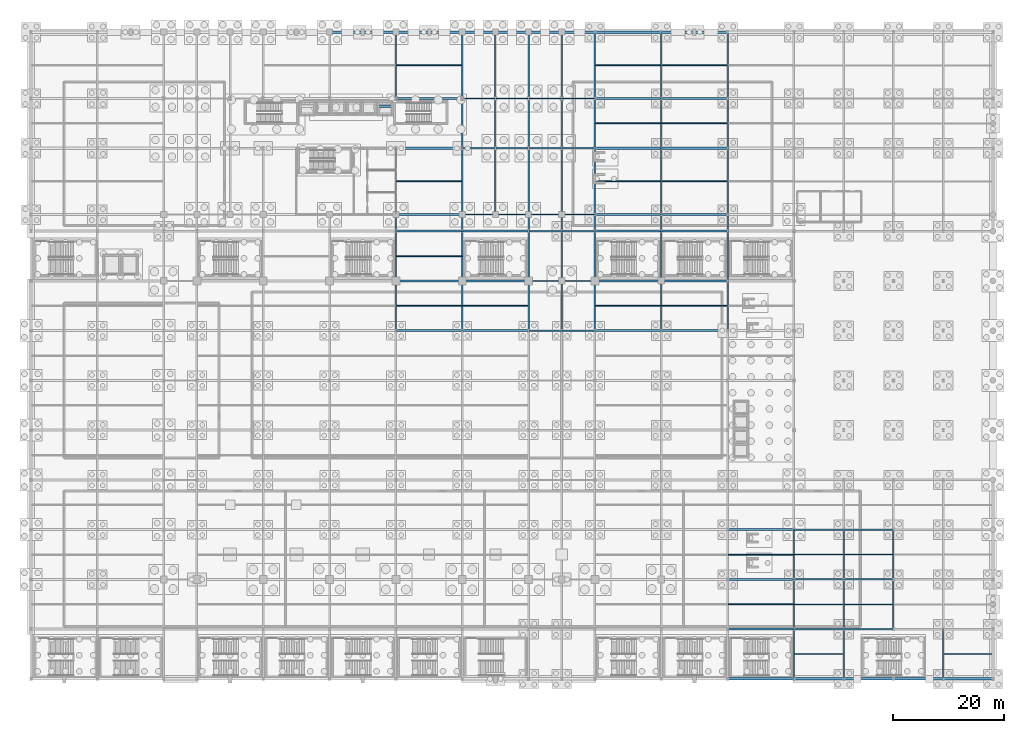
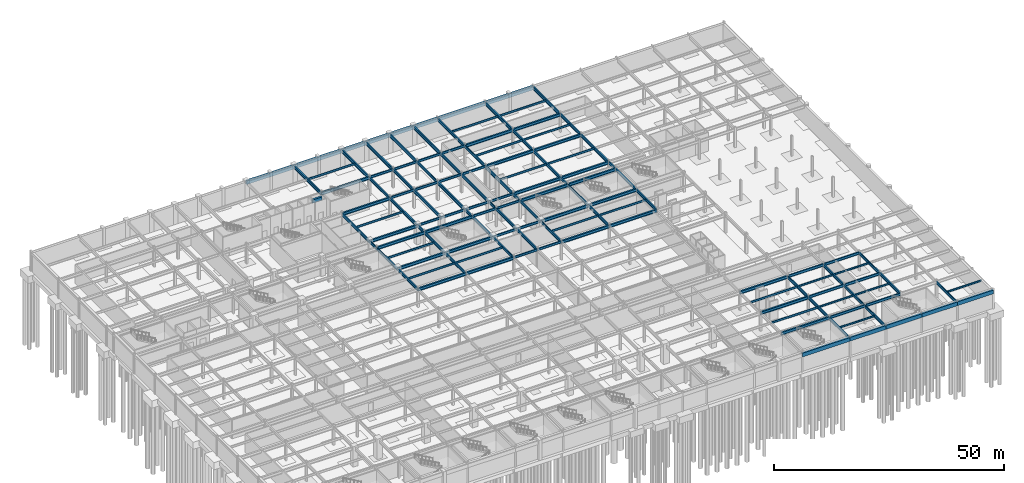
# One storey, part 20 of 47: 136 beams.
"""IFC4 building model written with IfcOpenShell, lengths in metres."""

from ifc_helpers import new_model, si_unit, direction, frame, origin, origin_2d, place, context, subcontext, project, spatial, rectangle, i_section, extrude, material, material_profile, profile_set, type_object, element, save


model = new_model("IFC4")

# Units and contexts
model_context = context("Model", 3, precision=1e-05, world=origin(), true_north=direction((0.0, 1.0)))
body_context = subcontext(model_context, "Body", "Model", "MODEL_VIEW")
ifc_project = project(units=[si_unit("LENGTHUNIT", "METRE"), si_unit("AREAUNIT", "SQUARE_METRE"), si_unit("VOLUMEUNIT", "CUBIC_METRE"), si_unit("PLANEANGLEUNIT", "RADIAN"), si_unit("MASSUNIT", "GRAM", prefix="KILO")], contexts=[model_context])

# Site, building, storey
site_placement = place(None, origin())
site = spatial("IfcSite", under=ifc_project, at=site_placement, CompositionType="ELEMENT")
building_placement = place(site_placement, origin())
building = spatial("IfcBuilding", under=site, at=building_placement, Name="Kaldorvane Square Convention Centre", CompositionType="ELEMENT")
storey_placement = place(building_placement, frame((0.0, 0.0, -5.399993896484375)))
storey = spatial("IfcBuildingStorey", under=building, at=storey_placement, Name="B01", CompositionType="ELEMENT", Elevation=-5.399993896484375)

# Beams
ifc_material_1 = material(Name="Steel ASTM A992 Gr. 50", Category="steel")
ifc_material_profile_1 = material_profile(ifc_material_1, i_section(OverallWidth=0.2303009033203125, OverallDepth=0.61749267578125, WebThickness=0.0131072998046875, FlangeThickness=0.0222015380859375, FilletRadius=0.0126953125, at=origin_2d()), Name="W24X94")
ifc_profile_set_1 = profile_set([ifc_material_profile_1], Name="Steel ASTM A992 Gr. 50")
beam_type_1 = type_object("IfcBeamType", Name="BM-GR-W24X94", PredefinedType="BEAM", material=ifc_profile_set_1)
for number, where, z_axis, x_axis, name in (
    (1, (90.0, 63.0, 4.7072906494140625), (1.0, 0.0, 0.0), (0.0, 1.0, 0.0), "Primary Girder (B01)"),
    (2, (96.0, 63.0, 4.7072906494140625), (1.0, 0.0, 0.0), (0.0, 1.0, 0.0), "Primary Girder (B01)"),
    (3, (90.0, 72.0, 4.7072906494140625), (1.0, 0.0, 0.0), (0.0, 1.0, 0.0), "Primary Girder (B01)"),
    (4, (96.0, 72.0, 4.7072906494140625), (1.0, 0.0, 0.0), (0.0, 1.0, 0.0), "Primary Girder (B01)"),
    (5, (90.0, 81.0, 4.7072906494140625), (1.0, 0.0, 0.0), (0.0, 1.0, 0.0), "Primary Girder (B01)"),
    (6, (96.0, 81.0, 4.7072906494140625), (1.0, 0.0, 0.0), (0.0, 1.0, 0.0), "Primary Girder (B01)"),
    (7, (78.0, 84.0, 4.7072906494140625), (1.0, 0.0, 0.0), (0.0, 1.0, 0.0), "Primary Girder (B01)"),
    (8, (84.0, 84.0, 4.7072906494140625), (1.0, 0.0, 0.0), (0.0, 1.0, 0.0), "Primary Girder (B01)"),
    (9, (90.0, 84.0, 4.7072906494140625), (1.0, 0.0, 0.0), (0.0, 1.0, 0.0), "Primary Girder (B01)"),
    (10, (96.0, 84.0, 4.7072906494140625), (1.0, 0.0, 0.0), (0.0, 1.0, 0.0), "Primary Girder (B01)"),
    (11, (78.0, 96.0, 4.7072906494140625), (1.0, 0.0, 0.0), (0.0, 1.0, 0.0), "Primary Girder (B01)"),
    (12, (84.0, 96.0, 4.7072906494140625), (1.0, 0.0, 0.0), (0.0, 1.0, 0.0), "Primary Girder (B01)"),
    (13, (90.0, 96.0, 4.7072906494140625), (1.0, 0.0, 0.0), (0.0, 1.0, 0.0), "Primary Girder (B01)"),
    (14, (96.0, 96.0, 4.7072906494140625), (1.0, 0.0, 0.0), (0.0, 1.0, 0.0), "Primary Girder (B01)"),
    (15, (78.0, 105.0, 4.7072906494140625), (1.0, 0.0, 0.0), (0.0, 1.0, 0.0), "Primary Girder (B01)"),
    (16, (84.0, 105.0, 4.7072906494140625), (1.0, 0.0, 0.0), (0.0, 1.0, 0.0), "Primary Girder (B01)"),
    (17, (90.0, 105.0, 4.7072906494140625), (1.0, 0.0, 0.0), (0.0, 1.0, 0.0), "Primary Girder (B01)"),
    (18, (96.0, 105.0, 4.7072906494140625), (1.0, 0.0, 0.0), (0.0, 1.0, 0.0), "Primary Girder (B01)"),
):
    element("IfcBeam", number, at=place(storey_placement, frame(where, z_axis=z_axis, x_axis=x_axis)), inside=storey, type_object=beam_type_1, Name=name, PredefinedType="BEAM", context=body_context, shape_type="SweptSolid", body=[
        extrude(i_section(OverallWidth=0.2303009033203125, OverallDepth=0.61749267578125, WebThickness=0.0131072998046875, FlangeThickness=0.0222015380859375, FilletRadius=0.0126953125, at=origin_2d()), origin(), (0.0, 0.0, 1.0), 6.0),
    ])
ifc_material_profile_2 = material_profile(ifc_material_1, i_section(OverallWidth=0.25439453125, OverallDepth=0.6880950927734375, WebThickness=0.0131072998046875, FlangeThickness=0.0211029052734375, FilletRadius=0.01519775390625, at=origin_2d()), Name="W27X102")
ifc_profile_set_2 = profile_set([ifc_material_profile_2], Name="Steel ASTM A992 Gr. 50")
beam_type_2 = type_object("IfcBeamType", Name="BM-GR-W27X102", PredefinedType="BEAM", material=ifc_profile_set_2)
for number, where, z_axis, x_axis, name in (
    (19, (138.0, 9.0, 4.6718902587890625), (1.0, 0.0, 0.0), (0.0, 1.0, 0.0), "Primary Girder (B01)"),
    (20, (147.0, 9.0, 4.6718902587890625), (1.0, 0.0, 0.0), (0.0, 1.0, 0.0), "Primary Girder (B01)"),
    (21, (138.0, 18.0, 4.6718902587890625), (1.0, 0.0, 0.0), (0.0, 1.0, 0.0), "Primary Girder (B01)"),
    (22, (147.0, 18.0, 4.6718902587890625), (1.0, 0.0, 0.0), (0.0, 1.0, 0.0), "Primary Girder (B01)"),
    (23, (138.0, 27.0, 4.6718902587890625), (1.0, 0.0, 0.0), (0.0, 1.0, 0.0), "Primary Girder (B01)"),
    (24, (147.0, 27.0, 4.6718902587890625), (1.0, 0.0, 0.0), (0.0, 1.0, 0.0), "Primary Girder (B01)"),
):
    element("IfcBeam", number, at=place(storey_placement, frame(where, z_axis=z_axis, x_axis=x_axis)), inside=storey, type_object=beam_type_2, Name=name, PredefinedType="BEAM", context=body_context, shape_type="SweptSolid", body=[
        extrude(i_section(OverallWidth=0.25439453125, OverallDepth=0.6880950927734375, WebThickness=0.0131072998046875, FlangeThickness=0.0211029052734375, FilletRadius=0.01519775390625, at=origin_2d()), origin(), (0.0, 0.0, 1.0), 9.0),
    ])
ifc_material_profile_3 = material_profile(ifc_material_1, i_section(OverallWidth=0.2666015625, OverallDepth=0.762298583984375, WebThickness=0.014404296875, FlangeThickness=0.0216064453125, FilletRadius=0.0164947509765625, at=origin_2d()), Name="W30X116")
ifc_profile_set_3 = profile_set([ifc_material_profile_3], Name="Steel ASTM A992 Gr. 50")
beam_type_3 = type_object("IfcBeamType", Name="BM-GR-W30X116", PredefinedType="BEAM", material=ifc_profile_set_3)
for number, where, z_axis, x_axis, name in (
    (25, (66.0, 63.0, 4.6348876953125), (0.0, 1.0, 0.0), (-1.0, 0.0, 0.0), "Transverse Girder (B01)"),
    (26, (66.0, 72.0, 4.6348876953125), (0.0, 1.0, 0.0), (-1.0, 0.0, 0.0), "Transverse Girder (B01)"),
):
    element("IfcBeam", number, at=place(storey_placement, frame(where, z_axis=z_axis, x_axis=x_axis)), inside=storey, type_object=beam_type_3, Name=name, PredefinedType="BEAM", context=body_context, shape_type="SweptSolid", body=[
        extrude(i_section(OverallWidth=0.2666015625, OverallDepth=0.762298583984375, WebThickness=0.014404296875, FlangeThickness=0.0216064453125, FilletRadius=0.0164947509765625, at=origin_2d()), origin(), (0.0, 0.0, 1.0), 9.0),
    ])
beam_1_placement = place(storey_placement, frame((66.0, 81.0, 4.6348876953125), z_axis=(0.0, 1.0, 0.0), x_axis=(-1.0, 0.0, 0.0)))
element("IfcBeam", 27, at=beam_1_placement, inside=storey, type_object=beam_type_3, Name="Transverse Girder (B01)", PredefinedType="BEAM", context=body_context, shape_type="SweptSolid", body=[
    extrude(i_section(OverallWidth=0.2666015625, OverallDepth=0.762298583984375, WebThickness=0.014404296875, FlangeThickness=0.0216064453125, FilletRadius=0.0164947509765625, at=origin_2d()), origin(), (0.0, 0.0, 1.0), 3.0),
])
for number, where, z_axis, x_axis, name in (
    (28, (78.0, 63.0, 4.6348876953125), (0.0, 1.0, 0.0), (-1.0, 0.0, 0.0), "Transverse Girder (B01)"),
    (29, (78.0, 72.0, 4.6348876953125), (0.0, 1.0, 0.0), (-1.0, 0.0, 0.0), "Transverse Girder (B01)"),
):
    element("IfcBeam", number, at=place(storey_placement, frame(where, z_axis=z_axis, x_axis=x_axis)), inside=storey, type_object=beam_type_3, Name=name, PredefinedType="BEAM", context=body_context, shape_type="SweptSolid", body=[
        extrude(i_section(OverallWidth=0.2666015625, OverallDepth=0.762298583984375, WebThickness=0.014404296875, FlangeThickness=0.0216064453125, FilletRadius=0.0164947509765625, at=origin_2d()), origin(), (0.0, 0.0, 1.0), 9.0),
    ])
beam_2_placement = place(storey_placement, frame((78.0, 81.0, 4.6348876953125), z_axis=(0.0, 1.0, 0.0), x_axis=(-1.0, 0.0, 0.0)))
element("IfcBeam", 30, at=beam_2_placement, inside=storey, type_object=beam_type_3, Name="Transverse Girder (B01)", PredefinedType="BEAM", context=body_context, shape_type="SweptSolid", body=[
    extrude(i_section(OverallWidth=0.2666015625, OverallDepth=0.762298583984375, WebThickness=0.014404296875, FlangeThickness=0.0216064453125, FilletRadius=0.0164947509765625, at=origin_2d()), origin(), (0.0, 0.0, 1.0), 3.0),
])
for number, where, z_axis, x_axis, name in (
    (31, (78.0, 96.0, 4.6348876953125), (0.0, 1.0, 0.0), (-1.0, 0.0, 0.0), "Transverse Girder (B01)"),
    (32, (84.0, 96.0, 4.6348876953125), (0.0, 1.0, 0.0), (-1.0, 0.0, 0.0), "Transverse Girder (B01)"),
    (33, (90.0, 63.0, 4.6348876953125), (0.0, 1.0, 0.0), (-1.0, 0.0, 0.0), "Transverse Girder (B01)"),
    (34, (90.0, 72.0, 4.6348876953125), (0.0, 1.0, 0.0), (-1.0, 0.0, 0.0), "Transverse Girder (B01)"),
):
    element("IfcBeam", number, at=place(storey_placement, frame(where, z_axis=z_axis, x_axis=x_axis)), inside=storey, type_object=beam_type_3, Name=name, PredefinedType="BEAM", context=body_context, shape_type="SweptSolid", body=[
        extrude(i_section(OverallWidth=0.2666015625, OverallDepth=0.762298583984375, WebThickness=0.014404296875, FlangeThickness=0.0216064453125, FilletRadius=0.0164947509765625, at=origin_2d()), origin(), (0.0, 0.0, 1.0), 9.0),
    ])
beam_3_placement = place(storey_placement, frame((90.0, 81.0, 4.6348876953125), z_axis=(0.0, 1.0, 0.0), x_axis=(-1.0, 0.0, 0.0)))
element("IfcBeam", 35, at=beam_3_placement, inside=storey, type_object=beam_type_3, Name="Transverse Girder (B01)", PredefinedType="BEAM", context=body_context, shape_type="SweptSolid", body=[
    extrude(i_section(OverallWidth=0.2666015625, OverallDepth=0.762298583984375, WebThickness=0.014404296875, FlangeThickness=0.0216064453125, FilletRadius=0.0164947509765625, at=origin_2d()), origin(), (0.0, 0.0, 1.0), 3.0),
])
for number, where, z_axis, x_axis, name in (
    (36, (90.0, 96.0, 4.6348876953125), (0.0, 1.0, 0.0), (-1.0, 0.0, 0.0), "Transverse Girder (B01)"),
    (37, (96.0, 63.0, 4.6348876953125), (0.0, 1.0, 0.0), (-1.0, 0.0, 0.0), "Transverse Girder (B01)"),
    (38, (96.0, 72.0, 4.6348876953125), (0.0, 1.0, 0.0), (-1.0, 0.0, 0.0), "Transverse Girder (B01)"),
):
    element("IfcBeam", number, at=place(storey_placement, frame(where, z_axis=z_axis, x_axis=x_axis)), inside=storey, type_object=beam_type_3, Name=name, PredefinedType="BEAM", context=body_context, shape_type="SweptSolid", body=[
        extrude(i_section(OverallWidth=0.2666015625, OverallDepth=0.762298583984375, WebThickness=0.014404296875, FlangeThickness=0.0216064453125, FilletRadius=0.0164947509765625, at=origin_2d()), origin(), (0.0, 0.0, 1.0), 9.0),
    ])
beam_4_placement = place(storey_placement, frame((96.0, 81.0, 4.6348876953125), z_axis=(0.0, 1.0, 0.0), x_axis=(-1.0, 0.0, 0.0)))
element("IfcBeam", 39, at=beam_4_placement, inside=storey, type_object=beam_type_3, Name="Transverse Girder (B01)", PredefinedType="BEAM", context=body_context, shape_type="SweptSolid", body=[
    extrude(i_section(OverallWidth=0.2666015625, OverallDepth=0.762298583984375, WebThickness=0.014404296875, FlangeThickness=0.0216064453125, FilletRadius=0.0164947509765625, at=origin_2d()), origin(), (0.0, 0.0, 1.0), 3.0),
])
for number, where, z_axis, x_axis, name in (
    (40, (96.0, 96.0, 4.6348876953125), (0.0, 1.0, 0.0), (-1.0, 0.0, 0.0), "Transverse Girder (B01)"),
    (41, (102.0, 63.0, 4.6348876953125), (0.0, 1.0, 0.0), (-1.0, 0.0, 0.0), "Transverse Girder (B01)"),
    (42, (102.0, 72.0, 4.6348876953125), (0.0, 1.0, 0.0), (-1.0, 0.0, 0.0), "Transverse Girder (B01)"),
):
    element("IfcBeam", number, at=place(storey_placement, frame(where, z_axis=z_axis, x_axis=x_axis)), inside=storey, type_object=beam_type_3, Name=name, PredefinedType="BEAM", context=body_context, shape_type="SweptSolid", body=[
        extrude(i_section(OverallWidth=0.2666015625, OverallDepth=0.762298583984375, WebThickness=0.014404296875, FlangeThickness=0.0216064453125, FilletRadius=0.0164947509765625, at=origin_2d()), origin(), (0.0, 0.0, 1.0), 9.0),
    ])
beam_5_placement = place(storey_placement, frame((102.0, 81.0, 4.6348876953125), z_axis=(0.0, 1.0, 0.0), x_axis=(-1.0, 0.0, 0.0)))
element("IfcBeam", 43, at=beam_5_placement, inside=storey, type_object=beam_type_3, Name="Transverse Girder (B01)", PredefinedType="BEAM", context=body_context, shape_type="SweptSolid", body=[
    extrude(i_section(OverallWidth=0.2666015625, OverallDepth=0.762298583984375, WebThickness=0.014404296875, FlangeThickness=0.0216064453125, FilletRadius=0.0164947509765625, at=origin_2d()), origin(), (0.0, 0.0, 1.0), 3.0),
])
for number, where, z_axis, x_axis, name in (
    (44, (102.0, 96.0, 4.6348876953125), (0.0, 1.0, 0.0), (-1.0, 0.0, 0.0), "Transverse Girder (B01)"),
    (45, (114.0, 63.0, 4.6348876953125), (0.0, 1.0, 0.0), (-1.0, 0.0, 0.0), "Transverse Girder (B01)"),
    (46, (114.0, 72.0, 4.6348876953125), (0.0, 1.0, 0.0), (-1.0, 0.0, 0.0), "Transverse Girder (B01)"),
):
    element("IfcBeam", number, at=place(storey_placement, frame(where, z_axis=z_axis, x_axis=x_axis)), inside=storey, type_object=beam_type_3, Name=name, PredefinedType="BEAM", context=body_context, shape_type="SweptSolid", body=[
        extrude(i_section(OverallWidth=0.2666015625, OverallDepth=0.762298583984375, WebThickness=0.014404296875, FlangeThickness=0.0216064453125, FilletRadius=0.0164947509765625, at=origin_2d()), origin(), (0.0, 0.0, 1.0), 9.0),
    ])
beam_6_placement = place(storey_placement, frame((114.0, 81.0, 4.6348876953125), z_axis=(0.0, 1.0, 0.0), x_axis=(-1.0, 0.0, 0.0)))
element("IfcBeam", 47, at=beam_6_placement, inside=storey, type_object=beam_type_3, Name="Transverse Girder (B01)", PredefinedType="BEAM", context=body_context, shape_type="SweptSolid", body=[
    extrude(i_section(OverallWidth=0.2666015625, OverallDepth=0.762298583984375, WebThickness=0.014404296875, FlangeThickness=0.0216064453125, FilletRadius=0.0164947509765625, at=origin_2d()), origin(), (0.0, 0.0, 1.0), 3.0),
])
for number, where, z_axis, x_axis, name in (
    (48, (114.0, 96.0, 4.6348876953125), (0.0, 1.0, 0.0), (-1.0, 0.0, 0.0), "Transverse Girder (B01)"),
    (49, (126.0, 63.0, 4.6348876953125), (0.0, 1.0, 0.0), (-1.0, 0.0, 0.0), "Transverse Girder (B01)"),
    (50, (126.0, 72.0, 4.6348876953125), (0.0, 1.0, 0.0), (-1.0, 0.0, 0.0), "Transverse Girder (B01)"),
):
    element("IfcBeam", number, at=place(storey_placement, frame(where, z_axis=z_axis, x_axis=x_axis)), inside=storey, type_object=beam_type_3, Name=name, PredefinedType="BEAM", context=body_context, shape_type="SweptSolid", body=[
        extrude(i_section(OverallWidth=0.2666015625, OverallDepth=0.762298583984375, WebThickness=0.014404296875, FlangeThickness=0.0216064453125, FilletRadius=0.0164947509765625, at=origin_2d()), origin(), (0.0, 0.0, 1.0), 9.0),
    ])
beam_7_placement = place(storey_placement, frame((126.0, 81.0, 4.6348876953125), z_axis=(0.0, 1.0, 0.0), x_axis=(-1.0, 0.0, 0.0)))
element("IfcBeam", 51, at=beam_7_placement, inside=storey, type_object=beam_type_3, Name="Transverse Girder (B01)", PredefinedType="BEAM", context=body_context, shape_type="SweptSolid", body=[
    extrude(i_section(OverallWidth=0.2666015625, OverallDepth=0.762298583984375, WebThickness=0.014404296875, FlangeThickness=0.0216064453125, FilletRadius=0.0164947509765625, at=origin_2d()), origin(), (0.0, 0.0, 1.0), 3.0),
])
for number, where, z_axis, x_axis, name in (
    (52, (126.0, 96.0, 4.6348876953125), (0.0, 1.0, 0.0), (-1.0, 0.0, 0.0), "Transverse Girder (B01)"),
    (53, (138.0, 0.0, 4.6348876953125), (0.0, 1.0, 0.0), (-1.0, 0.0, 0.0), "Transverse Girder (B01)"),
    (54, (138.0, 9.0, 4.6348876953125), (0.0, 1.0, 0.0), (-1.0, 0.0, 0.0), "Transverse Girder (B01)"),
    (55, (138.0, 18.0, 4.6348876953125), (0.0, 1.0, 0.0), (-1.0, 0.0, 0.0), "Transverse Girder (B01)"),
    (56, (147.0, 0.0, 4.6348876953125), (0.0, 1.0, 0.0), (-1.0, 0.0, 0.0), "Transverse Girder (B01)"),
    (57, (147.0, 9.0, 4.6348876953125), (0.0, 1.0, 0.0), (-1.0, 0.0, 0.0), "Transverse Girder (B01)"),
    (58, (147.0, 18.0, 4.6348876953125), (0.0, 1.0, 0.0), (-1.0, 0.0, 0.0), "Transverse Girder (B01)"),
    (59, (156.0, 9.0, 4.6348876953125), (0.0, 1.0, 0.0), (-1.0, 0.0, 0.0), "Transverse Girder (B01)"),
    (60, (156.0, 18.0, 4.6348876953125), (0.0, 1.0, 0.0), (-1.0, 0.0, 0.0), "Transverse Girder (B01)"),
    (61, (165.0, 0.0, 4.6348876953125), (0.0, 1.0, 0.0), (-1.0, 0.0, 0.0), "Transverse Girder (B01)"),
):
    element("IfcBeam", number, at=place(storey_placement, frame(where, z_axis=z_axis, x_axis=x_axis)), inside=storey, type_object=beam_type_3, Name=name, PredefinedType="BEAM", context=body_context, shape_type="SweptSolid", body=[
        extrude(i_section(OverallWidth=0.2666015625, OverallDepth=0.762298583984375, WebThickness=0.014404296875, FlangeThickness=0.0216064453125, FilletRadius=0.0164947509765625, at=origin_2d()), origin(), (0.0, 0.0, 1.0), 9.0),
    ])
ifc_material_profile_4 = material_profile(ifc_material_1, i_section(OverallWidth=0.380706787109375, OverallDepth=0.773193359375, WebThickness=0.0166015625, FlangeThickness=0.027099609375, FilletRadius=0.0164947509765625, at=origin_2d()), Name="W30X173")
ifc_profile_set_4 = profile_set([ifc_material_profile_4], Name="Steel ASTM A992 Gr. 50")
beam_type_4 = type_object("IfcBeamType", Name="BM-GR-W30X173", PredefinedType="BEAM", material=ifc_profile_set_4)
for number, where, z_axis, x_axis, name in (
    (62, (126.0, 9.0, 4.62939453125), (1.0, 0.0, 0.0), (0.0, 1.0, 0.0), "Primary Girder (B01)"),
    (63, (126.0, 18.0, 4.62939453125), (1.0, 0.0, 0.0), (0.0, 1.0, 0.0), "Primary Girder (B01)"),
    (64, (126.0, 27.0, 4.62939453125), (1.0, 0.0, 0.0), (0.0, 1.0, 0.0), "Primary Girder (B01)"),
    (65, (66.0, 63.0, 4.62939453125), (1.0, 0.0, 0.0), (0.0, 1.0, 0.0), "Primary Girder (B01)"),
    (66, (78.0, 63.0, 4.62939453125), (1.0, 0.0, 0.0), (0.0, 1.0, 0.0), "Primary Girder (B01)"),
    (67, (102.0, 63.0, 4.62939453125), (1.0, 0.0, 0.0), (0.0, 1.0, 0.0), "Primary Girder (B01)"),
    (68, (114.0, 63.0, 4.62939453125), (1.0, 0.0, 0.0), (0.0, 1.0, 0.0), "Primary Girder (B01)"),
    (69, (66.0, 72.0, 4.62939453125), (1.0, 0.0, 0.0), (0.0, 1.0, 0.0), "Primary Girder (B01)"),
    (70, (78.0, 72.0, 4.62939453125), (1.0, 0.0, 0.0), (0.0, 1.0, 0.0), "Primary Girder (B01)"),
    (71, (102.0, 72.0, 4.62939453125), (1.0, 0.0, 0.0), (0.0, 1.0, 0.0), "Primary Girder (B01)"),
    (72, (114.0, 72.0, 4.62939453125), (1.0, 0.0, 0.0), (0.0, 1.0, 0.0), "Primary Girder (B01)"),
    (73, (66.0, 81.0, 4.62939453125), (1.0, 0.0, 0.0), (0.0, 1.0, 0.0), "Primary Girder (B01)"),
    (74, (78.0, 81.0, 4.62939453125), (1.0, 0.0, 0.0), (0.0, 1.0, 0.0), "Primary Girder (B01)"),
    (75, (102.0, 81.0, 4.62939453125), (1.0, 0.0, 0.0), (0.0, 1.0, 0.0), "Primary Girder (B01)"),
    (76, (114.0, 81.0, 4.62939453125), (1.0, 0.0, 0.0), (0.0, 1.0, 0.0), "Primary Girder (B01)"),
    (77, (66.0, 84.0, 4.62939453125), (1.0, 0.0, 0.0), (0.0, 1.0, 0.0), "Primary Girder (B01)"),
    (78, (102.0, 84.0, 4.62939453125), (1.0, 0.0, 0.0), (0.0, 1.0, 0.0), "Primary Girder (B01)"),
    (79, (114.0, 84.0, 4.62939453125), (1.0, 0.0, 0.0), (0.0, 1.0, 0.0), "Primary Girder (B01)"),
    (80, (66.0, 96.0, 4.62939453125), (1.0, 0.0, 0.0), (0.0, 1.0, 0.0), "Primary Girder (B01)"),
    (81, (102.0, 96.0, 4.62939453125), (1.0, 0.0, 0.0), (0.0, 1.0, 0.0), "Primary Girder (B01)"),
    (82, (114.0, 96.0, 4.62939453125), (1.0, 0.0, 0.0), (0.0, 1.0, 0.0), "Primary Girder (B01)"),
    (83, (66.0, 105.0, 4.62939453125), (1.0, 0.0, 0.0), (0.0, 1.0, 0.0), "Primary Girder (B01)"),
    (84, (102.0, 105.0, 4.62939453125), (1.0, 0.0, 0.0), (0.0, 1.0, 0.0), "Primary Girder (B01)"),
    (85, (114.0, 105.0, 4.62939453125), (1.0, 0.0, 0.0), (0.0, 1.0, 0.0), "Primary Girder (B01)"),
):
    element("IfcBeam", number, at=place(storey_placement, frame(where, z_axis=z_axis, x_axis=x_axis)), inside=storey, type_object=beam_type_4, Name=name, PredefinedType="BEAM", context=body_context, shape_type="SweptSolid", body=[
        extrude(i_section(OverallWidth=0.380706787109375, OverallDepth=0.773193359375, WebThickness=0.0166015625, FlangeThickness=0.027099609375, FilletRadius=0.0164947509765625, at=origin_2d()), origin(), (0.0, 0.0, 1.0), 12.0),
    ])
ifc_material_profile_5 = material_profile(ifc_material_1, i_section(OverallWidth=0.292999267578125, OverallDepth=0.845794677734375, WebThickness=0.0153961181640625, FlangeThickness=0.0243988037109375, FilletRadius=0.0178070068359375, at=origin_2d()), Name="W33X141")
ifc_profile_set_5 = profile_set([ifc_material_profile_5], Name="Steel ASTM A992 Gr. 50")
beam_type_5 = type_object("IfcBeamType", Name="BM-GR-W33X141", PredefinedType="BEAM", material=ifc_profile_set_5)
for number, where, z_axis, x_axis, name in (
    (86, (66.0, 84.0, 4.5930938720703125), (0.0, 1.0, 0.0), (-1.0, 0.0, 0.0), "Transverse Girder (B01)"),
    (87, (66.0, 105.0, 4.5930938720703125), (0.0, 1.0, 0.0), (-1.0, 0.0, 0.0), "Transverse Girder (B01)"),
    (88, (78.0, 84.0, 4.5930938720703125), (0.0, 1.0, 0.0), (-1.0, 0.0, 0.0), "Transverse Girder (B01)"),
    (89, (78.0, 105.0, 4.5930938720703125), (0.0, 1.0, 0.0), (-1.0, 0.0, 0.0), "Transverse Girder (B01)"),
    (90, (84.0, 84.0, 4.5930938720703125), (0.0, 1.0, 0.0), (-1.0, 0.0, 0.0), "Transverse Girder (B01)"),
    (91, (84.0, 105.0, 4.5930938720703125), (0.0, 1.0, 0.0), (-1.0, 0.0, 0.0), "Transverse Girder (B01)"),
    (92, (90.0, 84.0, 4.5930938720703125), (0.0, 1.0, 0.0), (-1.0, 0.0, 0.0), "Transverse Girder (B01)"),
    (93, (90.0, 105.0, 4.5930938720703125), (0.0, 1.0, 0.0), (-1.0, 0.0, 0.0), "Transverse Girder (B01)"),
    (94, (96.0, 84.0, 4.5930938720703125), (0.0, 1.0, 0.0), (-1.0, 0.0, 0.0), "Transverse Girder (B01)"),
    (95, (96.0, 105.0, 4.5930938720703125), (0.0, 1.0, 0.0), (-1.0, 0.0, 0.0), "Transverse Girder (B01)"),
    (96, (102.0, 84.0, 4.5930938720703125), (0.0, 1.0, 0.0), (-1.0, 0.0, 0.0), "Transverse Girder (B01)"),
    (97, (102.0, 105.0, 4.5930938720703125), (0.0, 1.0, 0.0), (-1.0, 0.0, 0.0), "Transverse Girder (B01)"),
    (98, (114.0, 84.0, 4.5930938720703125), (0.0, 1.0, 0.0), (-1.0, 0.0, 0.0), "Transverse Girder (B01)"),
    (99, (114.0, 105.0, 4.5930938720703125), (0.0, 1.0, 0.0), (-1.0, 0.0, 0.0), "Transverse Girder (B01)"),
    (100, (126.0, 84.0, 4.5930938720703125), (0.0, 1.0, 0.0), (-1.0, 0.0, 0.0), "Transverse Girder (B01)"),
    (101, (126.0, 105.0, 4.5930938720703125), (0.0, 1.0, 0.0), (-1.0, 0.0, 0.0), "Transverse Girder (B01)"),
):
    element("IfcBeam", number, at=place(storey_placement, frame(where, z_axis=z_axis, x_axis=x_axis)), inside=storey, type_object=beam_type_5, Name=name, PredefinedType="BEAM", context=body_context, shape_type="SweptSolid", body=[
        extrude(i_section(OverallWidth=0.292999267578125, OverallDepth=0.845794677734375, WebThickness=0.0153961181640625, FlangeThickness=0.0243988037109375, FilletRadius=0.0178070068359375, at=origin_2d()), origin(), (0.0, 0.0, 1.0), 12.0),
    ])
ifc_material_profile_6 = material_profile(ifc_material_1, i_section(OverallWidth=0.1912994384765625, OverallDepth=0.4600067138671875, WebThickness=0.0099029541015625, FlangeThickness=0.0160064697265625, FilletRadius=0.01019287109375, at=origin_2d()), Name="W18X55")
ifc_profile_set_6 = profile_set([ifc_material_profile_6], Name="Steel ASTM A992 Gr. 50")
beam_type_6 = type_object("IfcBeamType", Name="BM-JS-W18X55", PredefinedType="JOIST", material=ifc_profile_set_6)
beam_8_placement = place(storey_placement, frame((138.13330078125, 4.5, 4.7859954833984375), z_axis=(1.0, 0.0, 0.0), x_axis=(0.0, 1.0, 0.0)))
element("IfcBeam", 102, at=beam_8_placement, inside=storey, type_object=beam_type_6, Name="Secondary Floor Joist (B01)", PredefinedType="JOIST", context=body_context, shape_type="SweptSolid", body=[
    extrude(i_section(OverallWidth=0.1912994384765625, OverallDepth=0.4600067138671875, WebThickness=0.0099029541015625, FlangeThickness=0.0160064697265625, FilletRadius=0.01019287109375, at=origin_2d()), origin(), (0.0, 0.0, 1.0), 8.7333984375),
])
beam_9_placement = place(storey_placement, frame((165.13330078125, 4.5, 4.7859954833984375), z_axis=(1.0, 0.0, 0.0), x_axis=(0.0, 1.0, 0.0)))
element("IfcBeam", 103, at=beam_9_placement, inside=storey, type_object=beam_type_6, Name="Secondary Floor Joist (B01)", PredefinedType="JOIST", context=body_context, shape_type="SweptSolid", body=[
    extrude(i_section(OverallWidth=0.1912994384765625, OverallDepth=0.4600067138671875, WebThickness=0.0099029541015625, FlangeThickness=0.0160064697265625, FilletRadius=0.01019287109375, at=origin_2d()), origin(), (0.0, 0.0, 1.0), 8.71429443359375),
])
for number, where, z_axis, x_axis, name in (
    (104, (138.13330078125, 13.5, 4.7859954833984375), (1.0, 0.0, 0.0), (0.0, 1.0, 0.0), "Secondary Floor Joist (B01)"),
    (105, (147.13330078125, 13.5, 4.7859954833984375), (1.0, 0.0, 0.0), (0.0, 1.0, 0.0), "Secondary Floor Joist (B01)"),
    (106, (138.13330078125, 22.5, 4.7859954833984375), (1.0, 0.0, 0.0), (0.0, 1.0, 0.0), "Secondary Floor Joist (B01)"),
    (107, (147.13330078125, 22.5, 4.7859954833984375), (1.0, 0.0, 0.0), (0.0, 1.0, 0.0), "Secondary Floor Joist (B01)"),
):
    element("IfcBeam", number, at=place(storey_placement, frame(where, z_axis=z_axis, x_axis=x_axis)), inside=storey, type_object=beam_type_6, Name=name, PredefinedType="JOIST", context=body_context, shape_type="SweptSolid", body=[
        extrude(i_section(OverallWidth=0.1912994384765625, OverallDepth=0.4600067138671875, WebThickness=0.0099029541015625, FlangeThickness=0.0160064697265625, FilletRadius=0.01019287109375, at=origin_2d()), origin(), (0.0, 0.0, 1.0), 8.7333984375),
    ])
ifc_material_profile_7 = material_profile(ifc_material_1, i_section(OverallWidth=0.1658935546875, OverallDepth=0.5290985107421875, WebThickness=0.00970458984375, FlangeThickness=0.0135955810546875, FilletRadius=0.0126953125, at=origin_2d()), Name="W21X50")
ifc_profile_set_7 = profile_set([ifc_material_profile_7], Name="Steel ASTM A992 Gr. 50")
beam_type_7 = type_object("IfcBeamType", Name="BM-JS-W21X50", PredefinedType="JOIST", material=ifc_profile_set_7)
for number, where, z_axis, x_axis, name in (
    (108, (126.13330078125, 13.5, 4.751495361328125), (1.0, 0.0, 0.0), (0.0, 1.0, 0.0), "Secondary Floor Joist (B01)"),
    (109, (126.13330078125, 22.5, 4.751495361328125), (1.0, 0.0, 0.0), (0.0, 1.0, 0.0), "Secondary Floor Joist (B01)"),
    (110, (66.13330078125, 67.5, 4.751495361328125), (1.0, 0.0, 0.0), (0.0, 1.0, 0.0), "Secondary Floor Joist (B01)"),
    (111, (78.13330078125, 67.5, 4.751495361328125), (1.0, 0.0, 0.0), (0.0, 1.0, 0.0), "Secondary Floor Joist (B01)"),
    (112, (102.13330078125, 67.5, 4.751495361328125), (1.0, 0.0, 0.0), (0.0, 1.0, 0.0), "Secondary Floor Joist (B01)"),
    (113, (114.13330078125, 67.5, 4.751495361328125), (1.0, 0.0, 0.0), (0.0, 1.0, 0.0), "Secondary Floor Joist (B01)"),
    (114, (66.13330078125, 76.5, 4.751495361328125), (1.0, 0.0, 0.0), (0.0, 1.0, 0.0), "Secondary Floor Joist (B01)"),
):
    element("IfcBeam", number, at=place(storey_placement, frame(where, z_axis=z_axis, x_axis=x_axis)), inside=storey, type_object=beam_type_7, Name=name, PredefinedType="JOIST", context=body_context, shape_type="SweptSolid", body=[
        extrude(i_section(OverallWidth=0.1658935546875, OverallDepth=0.5290985107421875, WebThickness=0.00970458984375, FlangeThickness=0.0135955810546875, FilletRadius=0.0126953125, at=origin_2d()), origin(), (0.0, 0.0, 1.0), 11.7333984375),
    ])
for number, where, z_axis, x_axis, name in (
    (115, (66.14649963378906, 90.0, 4.751495361328125), (1.0, 0.0, 0.0), (0.0, 1.0, 0.0), "Secondary Floor Joist (B01)"),
    (116, (102.14649963378906, 90.0, 4.751495361328125), (1.0, 0.0, 0.0), (0.0, 1.0, 0.0), "Secondary Floor Joist (B01)"),
    (117, (114.14649963378906, 90.0, 4.751495361328125), (1.0, 0.0, 0.0), (0.0, 1.0, 0.0), "Secondary Floor Joist (B01)"),
):
    element("IfcBeam", number, at=place(storey_placement, frame(where, z_axis=z_axis, x_axis=x_axis)), inside=storey, type_object=beam_type_7, Name=name, PredefinedType="JOIST", context=body_context, shape_type="SweptSolid", body=[
        extrude(i_section(OverallWidth=0.1658935546875, OverallDepth=0.5290985107421875, WebThickness=0.00970458984375, FlangeThickness=0.0135955810546875, FilletRadius=0.0126953125, at=origin_2d()), origin(), (0.0, 0.0, 1.0), 11.707000732421875),
    ])
for number, where, z_axis, x_axis, name in (
    (118, (102.13330078125, 100.5, 4.751495361328125), (1.0, 0.0, 0.0), (0.0, 1.0, 0.0), "Secondary Floor Joist (B01)"),
    (119, (114.13330078125, 100.5, 4.751495361328125), (1.0, 0.0, 0.0), (0.0, 1.0, 0.0), "Secondary Floor Joist (B01)"),
):
    element("IfcBeam", number, at=place(storey_placement, frame(where, z_axis=z_axis, x_axis=x_axis)), inside=storey, type_object=beam_type_7, Name=name, PredefinedType="JOIST", context=body_context, shape_type="SweptSolid", body=[
        extrude(i_section(OverallWidth=0.1658935546875, OverallDepth=0.5290985107421875, WebThickness=0.00970458984375, FlangeThickness=0.0135955810546875, FilletRadius=0.0126953125, at=origin_2d()), origin(), (0.0, 0.0, 1.0), 11.7333984375),
    ])
for number, where, z_axis, x_axis, name in (
    (120, (66.14649963378906, 111.0, 4.751495361328125), (1.0, 0.0, 0.0), (0.0, 1.0, 0.0), "Secondary Floor Joist (B01)"),
    (121, (102.14649963378906, 111.0, 4.751495361328125), (1.0, 0.0, 0.0), (0.0, 1.0, 0.0), "Secondary Floor Joist (B01)"),
    (122, (114.14649963378906, 111.0, 4.751495361328125), (1.0, 0.0, 0.0), (0.0, 1.0, 0.0), "Secondary Floor Joist (B01)"),
):
    element("IfcBeam", number, at=place(storey_placement, frame(where, z_axis=z_axis, x_axis=x_axis)), inside=storey, type_object=beam_type_7, Name=name, PredefinedType="JOIST", context=body_context, shape_type="SweptSolid", body=[
        extrude(i_section(OverallWidth=0.1658935546875, OverallDepth=0.5290985107421875, WebThickness=0.00970458984375, FlangeThickness=0.0135955810546875, FilletRadius=0.0126953125, at=origin_2d()), origin(), (0.0, 0.0, 1.0), 11.707000732421875),
    ])
ifc_material_2 = material(Name="Concrete f'c = 42 MPa (Normalweight)", Category="concrete")
ifc_material_profile_8 = material_profile(ifc_material_2, rectangle(XDim=0.5, YDim=0.899993896484375, at=origin_2d()), Name="RCLN900X500")
ifc_profile_set_8 = profile_set([ifc_material_profile_8], Name="Concrete f'c = 42 MPa (Normalweight)")
beam_type_8 = type_object("IfcBeamType", Name="BM-LN-RC900", PredefinedType="LINTEL", material=ifc_profile_set_8)
beam_10_placement = place(storey_placement, frame((62.80000305175781, 103.60000610351562, 4.5679931640625), z_axis=(1.0, 0.0, 0.0), x_axis=(0.0, 1.0, 0.0)))
element("IfcBeam", 123, at=beam_10_placement, inside=storey, type_object=beam_type_8, Name="Core Coupling Lintel E (B01)", PredefinedType="LINTEL", context=body_context, shape_type="SweptSolid", body=[
    extrude(rectangle(XDim=0.5, YDim=0.899993896484375, at=origin_2d()), origin(), (0.0, 0.0, 1.0), 2.399993896484375),
])
ifc_material_profile_9 = material_profile(ifc_material_2, rectangle(XDim=0.4499969482421875, YDim=1.0, at=origin_2d()), Name="RCSP1000X450")
ifc_profile_set_9 = profile_set([ifc_material_profile_9], Name="Concrete f'c = 42 MPa (Normalweight)")
beam_type_9 = type_object("IfcBeamType", Name="BM-SP-RC1000", PredefinedType="SPANDREL", material=ifc_profile_set_9)
beam_11_placement = place(storey_placement, frame((126.0, 0.0, 4.5159912109375), z_axis=(1.0, 0.0, 0.0), x_axis=(0.0, 1.0, 0.0)))
element("IfcBeam", 124, at=beam_11_placement, inside=storey, type_object=beam_type_9, Name="Perimeter Spandrel (B01)", PredefinedType="SPANDREL", context=body_context, shape_type="SweptSolid", body=[
    extrude(rectangle(XDim=0.4499969482421875, YDim=1.0, at=origin_2d()), origin(), (0.0, 0.0, 1.0), 12.0),
])
for number, where, z_axis, x_axis, name in (
    (125, (138.0, 0.0, 4.5159912109375), (1.0, 0.0, 0.0), (0.0, 1.0, 0.0), "Perimeter Spandrel (B01)"),
    (126, (147.0, 0.0, 4.5159912109375), (1.0, 0.0, 0.0), (0.0, 1.0, 0.0), "Perimeter Spandrel (B01)"),
    (127, (156.0, 0.0, 4.5159912109375), (1.0, 0.0, 0.0), (0.0, 1.0, 0.0), "Perimeter Spandrel (B01)"),
    (128, (165.0, 0.0, 4.5159912109375), (1.0, 0.0, 0.0), (0.0, 1.0, 0.0), "Perimeter Spandrel (B01)"),
):
    element("IfcBeam", number, at=place(storey_placement, frame(where, z_axis=z_axis, x_axis=x_axis)), inside=storey, type_object=beam_type_9, Name=name, PredefinedType="SPANDREL", context=body_context, shape_type="SweptSolid", body=[
        extrude(rectangle(XDim=0.4499969482421875, YDim=1.0, at=origin_2d()), origin(), (0.0, 0.0, 1.0), 9.0),
    ])
for number, where, z_axis, x_axis, name in (
    (129, (54.0, 117.0, 4.5159912109375), (1.0, 0.0, 0.0), (0.0, 1.0, 0.0), "Perimeter Spandrel (B01)"),
    (130, (66.0, 117.0, 4.5159912109375), (1.0, 0.0, 0.0), (0.0, 1.0, 0.0), "Perimeter Spandrel (B01)"),
):
    element("IfcBeam", number, at=place(storey_placement, frame(where, z_axis=z_axis, x_axis=x_axis)), inside=storey, type_object=beam_type_9, Name=name, PredefinedType="SPANDREL", context=body_context, shape_type="SweptSolid", body=[
        extrude(rectangle(XDim=0.4499969482421875, YDim=1.0, at=origin_2d()), origin(), (0.0, 0.0, 1.0), 12.0),
    ])
for number, where, z_axis, x_axis, name in (
    (131, (78.0, 117.0, 4.5159912109375), (1.0, 0.0, 0.0), (0.0, 1.0, 0.0), "Perimeter Spandrel (B01)"),
    (132, (84.0, 117.0, 4.5159912109375), (1.0, 0.0, 0.0), (0.0, 1.0, 0.0), "Perimeter Spandrel (B01)"),
    (133, (90.0, 117.0, 4.5159912109375), (1.0, 0.0, 0.0), (0.0, 1.0, 0.0), "Perimeter Spandrel (B01)"),
    (134, (96.0, 117.0, 4.5159912109375), (1.0, 0.0, 0.0), (0.0, 1.0, 0.0), "Perimeter Spandrel (B01)"),
):
    element("IfcBeam", number, at=place(storey_placement, frame(where, z_axis=z_axis, x_axis=x_axis)), inside=storey, type_object=beam_type_9, Name=name, PredefinedType="SPANDREL", context=body_context, shape_type="SweptSolid", body=[
        extrude(rectangle(XDim=0.4499969482421875, YDim=1.0, at=origin_2d()), origin(), (0.0, 0.0, 1.0), 6.0),
    ])
for number, where, z_axis, x_axis, name in (
    (135, (102.0, 117.0, 4.5159912109375), (1.0, 0.0, 0.0), (0.0, 1.0, 0.0), "Perimeter Spandrel (B01)"),
    (136, (114.0, 117.0, 4.5159912109375), (1.0, 0.0, 0.0), (0.0, 1.0, 0.0), "Perimeter Spandrel (B01)"),
):
    element("IfcBeam", number, at=place(storey_placement, frame(where, z_axis=z_axis, x_axis=x_axis)), inside=storey, type_object=beam_type_9, Name=name, PredefinedType="SPANDREL", context=body_context, shape_type="SweptSolid", body=[
        extrude(rectangle(XDim=0.4499969482421875, YDim=1.0, at=origin_2d()), origin(), (0.0, 0.0, 1.0), 12.0),
    ])

save(model, "model.ifc")
